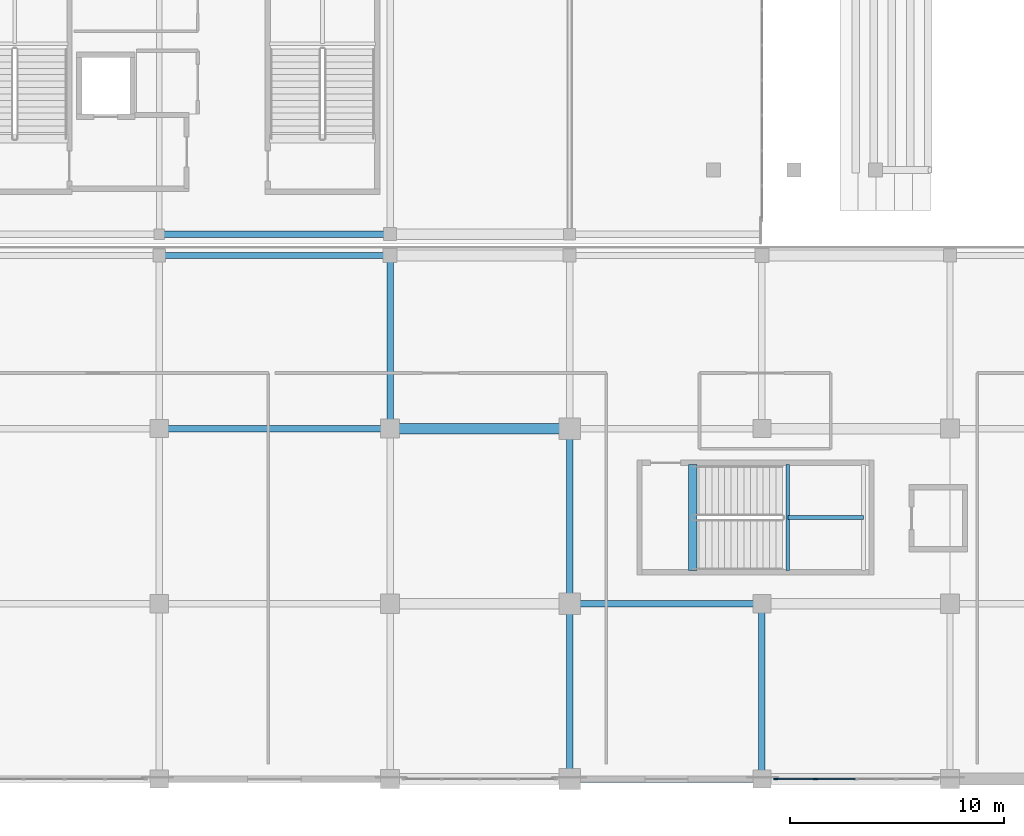
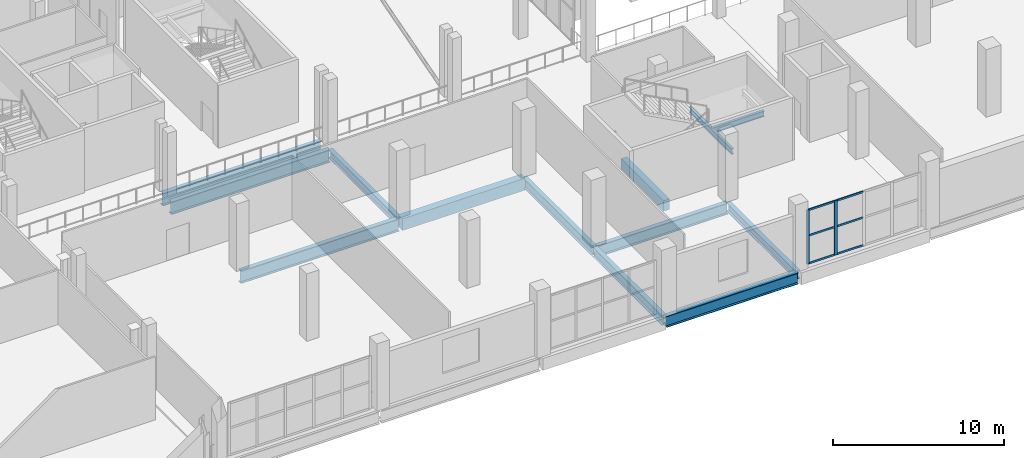
# One storey, part 16 of 142: 13 beams, 8 members, 1 element without a shape of its own.
"""IFC4 building model written with IfcOpenShell, lengths in metres."""

from ifc_helpers import new_model, si_unit, direction, frame, origin, origin_2d, place, context, subcontext, project, spatial, rectangle, i_section, extrude, material, material_profile, profile_set, type_object, element, aggregate, save


model = new_model("IFC4")

# Units and contexts
model_context = context("Model", 3, precision=1e-05, world=origin(), true_north=direction((0.0, 1.0)))
body_context = subcontext(model_context, "Body", "Model", "MODEL_VIEW")
ifc_project = project(units=[si_unit("LENGTHUNIT", "METRE"), si_unit("AREAUNIT", "SQUARE_METRE"), si_unit("VOLUMEUNIT", "CUBIC_METRE"), si_unit("PLANEANGLEUNIT", "RADIAN"), si_unit("MASSUNIT", "GRAM", prefix="KILO")], contexts=[model_context])

# Site, building, storey
site_placement = place(None, origin())
site = spatial("IfcSite", under=ifc_project, at=site_placement, CompositionType="ELEMENT")
building_placement = place(site_placement, origin())
building = spatial("IfcBuilding", under=site, at=building_placement, Name="Koshinbarg Plaza Stadium", CompositionType="ELEMENT")
storey_placement = place(building_placement, frame((0.0, 0.0, 10.199951171875)))
storey = spatial("IfcBuildingStorey", under=building, at=storey_placement, Name="L02", CompositionType="ELEMENT", Elevation=10.199951171875)

# Beams
ifc_material_1 = material(Name="Concrete C40/50", Category="concrete")
ifc_material_profile_1 = material_profile(ifc_material_1, rectangle(XDim=0.39990234375, YDim=0.75, at=origin_2d()), Name="RC 400x750")
ifc_profile_set_1 = profile_set([ifc_material_profile_1], Name="Concrete C40/50")
beam_type_1 = type_object("IfcBeamType", Name="BM-RCG-03", PredefinedType="USERDEFINED", material=ifc_profile_set_1)
beam_1_placement = place(storey_placement, frame((60.360107421875, 9.75, -0.375), z_axis=(0.0, 1.0, 0.0), x_axis=(-1.0, 0.0, 0.0)))
element("IfcBeam", 1, at=beam_1_placement, inside=storey, type_object=beam_type_1, Name="L02 stair landing header beam C13", ObjectType="GIRDER", PredefinedType="USERDEFINED", context=body_context, shape_type="SweptSolid", body=[
    extrude(rectangle(XDim=0.39990234375, YDim=0.75, at=origin_2d()), origin(), (0.0, 0.0, 1.0), 4.969970703125),
])
ifc_material_profile_2 = material_profile(ifc_material_1, rectangle(XDim=0.5, YDim=0.85009765625, at=origin_2d()), Name="RC 500x850")
ifc_profile_set_2 = profile_set([ifc_material_profile_2], Name="Concrete C40/50")
beam_type_2 = type_object("IfcBeamType", Name="BM-RCG-05", PredefinedType="USERDEFINED", material=ifc_profile_set_2)
beam_2_placement = place(storey_placement, frame((46.260009765625, 16.39990234375, -0.724853515625), z_axis=(1.0, 0.0, 0.0), x_axis=(0.0, 1.0, 0.0)))
element("IfcBeam", 2, at=beam_2_placement, inside=storey, type_object=beam_type_2, Name="L02 X girder C/7-8", ObjectType="GIRDER", PredefinedType="USERDEFINED", context=body_context, shape_type="SweptSolid", body=[
    extrude(rectangle(XDim=0.5, YDim=0.85009765625, at=origin_2d()), origin(), (0.0, 0.0, 1.0), 8.280029296875),
])
ifc_material_2 = material(Name="Steel S355", Category="steel")
ifc_material_profile_3 = material_profile(ifc_material_2, i_section(OverallWidth=0.179931640625, OverallDepth=0.39990234375, WebThickness=0.008544921875, FlangeThickness=0.013427734375, at=origin_2d()), Name="IPE 400")
ifc_profile_set_3 = profile_set([ifc_material_profile_3], Name="Steel S355")
beam_type_3 = type_object("IfcBeamType", Name="BM-SBM-01", PredefinedType="BEAM", material=ifc_profile_set_3)
beam_3_placement = place(storey_placement, frame((64.81005859375, 9.75, 1.880126953125), z_axis=(0.0, 1.0, 0.0), x_axis=(-1.0, 0.0, 0.0)))
element("IfcBeam", 3, at=beam_3_placement, inside=storey, type_object=beam_type_3, Name="L02 Protected Exit Stair C13 landing trimmer beam 1", PredefinedType="BEAM", context=body_context, shape_type="SweptSolid", body=[
    extrude(i_section(OverallWidth=0.179931640625, OverallDepth=0.39990234375, WebThickness=0.008544921875, FlangeThickness=0.013427734375, at=origin_2d()), origin(), (0.0, 0.0, 1.0), 4.969970703125),
])
beam_4_placement = place(storey_placement, frame((64.81005859375, 12.235107421875, 1.880126953125), z_axis=(1.0, 0.0, 0.0), x_axis=(0.0, 1.0, 0.0)))
element("IfcBeam", 4, at=beam_4_placement, inside=storey, type_object=beam_type_3, Name="L02 Protected Exit Stair C13 landing trimmer beam 3", PredefinedType="BEAM", context=body_context, shape_type="SweptSolid", body=[
    extrude(i_section(OverallWidth=0.179931640625, OverallDepth=0.39990234375, WebThickness=0.008544921875, FlangeThickness=0.013427734375, at=origin_2d()), origin(), (0.0, 0.0, 1.0), 3.5400390625),
])
ifc_material_profile_4 = material_profile(ifc_material_2, i_section(OverallWidth=0.300048828125, OverallDepth=0.60009765625, WebThickness=0.015380859375, FlangeThickness=0.030029296875, at=origin_2d()), Name="HEB 600")
ifc_profile_set_4 = profile_set([ifc_material_profile_4], Name="Steel S355")
beam_type_4 = type_object("IfcBeamType", Name="BM-SGIR-02", PredefinedType="USERDEFINED", material=ifc_profile_set_4)
beam_5_placement = place(storey_placement, frame((46.199951171875, 16.4599609375, -0.599853515625), z_axis=(0.0, 1.0, 0.0), x_axis=(-1.0, 0.0, 0.0)))
element("IfcBeam", 5, at=beam_5_placement, inside=storey, type_object=beam_type_4, Name="L02 Y girder 7/C-D", ObjectType="GIRDER", PredefinedType="USERDEFINED", context=body_context, shape_type="SweptSolid", body=[
    extrude(i_section(OverallWidth=0.300048828125, OverallDepth=0.60009765625, WebThickness=0.015380859375, FlangeThickness=0.030029296875, at=origin_2d()), origin(), (0.0, 0.0, 1.0), 7.97998046875),
])
beam_6_placement = place(storey_placement, frame((63.60009765625, 0.06005859375, -0.599853515625), z_axis=(0.0, 1.0, 0.0), x_axis=(-1.0, 0.0, 0.0)))
element("IfcBeam", 6, at=beam_6_placement, inside=storey, type_object=beam_type_4, Name="L02 Y girder 9/A-B", ObjectType="GIRDER", PredefinedType="USERDEFINED", context=body_context, shape_type="SweptSolid", body=[
    extrude(i_section(OverallWidth=0.300048828125, OverallDepth=0.60009765625, WebThickness=0.015380859375, FlangeThickness=0.030029296875, at=origin_2d()), origin(), (0.0, 0.0, 1.0), 8.079833984375),
])
ifc_material_profile_5 = material_profile(ifc_material_2, i_section(OverallWidth=0.300048828125, OverallDepth=0.699951171875, WebThickness=0.01708984375, FlangeThickness=0.031982421875, at=origin_2d()), Name="HEB 700")
ifc_profile_set_5 = profile_set([ifc_material_profile_5], Name="Steel S355")
beam_type_5 = type_object("IfcBeamType", Name="BM-SGIR-03", PredefinedType="USERDEFINED", material=ifc_profile_set_5)
beam_7_placement = place(storey_placement, frame((54.60009765625, 0.06005859375, -0.64990234375), z_axis=(0.0, 1.0, 0.0), x_axis=(-1.0, 0.0, 0.0)))
element("IfcBeam", 7, at=beam_7_placement, inside=storey, type_object=beam_type_5, Name="L02 Y girder 8/A-B", ObjectType="GIRDER", PredefinedType="USERDEFINED", context=body_context, shape_type="SweptSolid", body=[
    extrude(i_section(OverallWidth=0.300048828125, OverallDepth=0.699951171875, WebThickness=0.01708984375, FlangeThickness=0.031982421875, at=origin_2d()), origin(), (0.0, 0.0, 1.0), 8.079833984375),
])
beam_8_placement = place(storey_placement, frame((54.60009765625, 8.260009765625, -0.64990234375), z_axis=(0.0, 1.0, 0.0), x_axis=(-1.0, 0.0, 0.0)))
element("IfcBeam", 8, at=beam_8_placement, inside=storey, type_object=beam_type_5, Name="L02 Y girder 8/B-C", ObjectType="GIRDER", PredefinedType="USERDEFINED", context=body_context, shape_type="SweptSolid", body=[
    extrude(i_section(OverallWidth=0.300048828125, OverallDepth=0.699951171875, WebThickness=0.01708984375, FlangeThickness=0.031982421875, at=origin_2d()), origin(), (0.0, 0.0, 1.0), 8.080078125),
])
ifc_material_profile_6 = material_profile(ifc_material_2, i_section(OverallWidth=0.300048828125, OverallDepth=0.800048828125, WebThickness=0.017578125, FlangeThickness=0.032958984375, at=origin_2d()), Name="HEB 800")
ifc_profile_set_6 = profile_set([ifc_material_profile_6], Name="Steel S355")
beam_type_6 = type_object("IfcBeamType", Name="BM-SGIR-04", PredefinedType="USERDEFINED", material=ifc_profile_set_6)
for number, where, z_axis, x_axis, name in (
    (9, (54.659912109375, 0.0, -0.699951171875), (1.0, 0.0, 0.0), (0.0, 1.0, 0.0), "L02 X girder A/8-9"),
    (10, (54.659912109375, 8.199951171875, -0.699951171875), (1.0, 0.0, 0.0), (0.0, 1.0, 0.0), "L02 X girder B/8-9"),
):
    element("IfcBeam", number, at=place(storey_placement, frame(where, z_axis=z_axis, x_axis=x_axis)), inside=storey, type_object=beam_type_6, Name=name, ObjectType="GIRDER", PredefinedType="USERDEFINED", context=body_context, shape_type="SweptSolid", body=[
        extrude(i_section(OverallWidth=0.300048828125, OverallDepth=0.800048828125, WebThickness=0.017578125, FlangeThickness=0.032958984375, at=origin_2d()), origin(), (0.0, 0.0, 1.0), 8.880126953125),
    ])
ifc_material_profile_7 = material_profile(ifc_material_2, i_section(OverallWidth=0.300048828125, OverallDepth=0.89990234375, WebThickness=0.0185546875, FlangeThickness=0.034912109375, at=origin_2d()), Name="HEB 900")
ifc_profile_set_7 = profile_set([ifc_material_profile_7], Name="Steel S355")
beam_type_7 = type_object("IfcBeamType", Name="BM-SGIR-05", PredefinedType="USERDEFINED", material=ifc_profile_set_7)
for number, where, z_axis, x_axis, name in (
    (11, (35.4599609375, 16.39990234375, -0.75), (1.0, 0.0, 0.0), (0.0, 1.0, 0.0), "L02 X girder C/6-7"),
    (12, (35.4599609375, 24.5, -0.75), (1.0, 0.0, 0.0), (0.0, 1.0, 0.0), "L02 X girder D/6-7"),
    (13, (35.4599609375, 25.5, -0.75), (1.0, 0.0, 0.0), (0.0, 1.0, 0.0), "L02 X girder E/6-7"),
):
    element("IfcBeam", number, at=place(storey_placement, frame(where, z_axis=z_axis, x_axis=x_axis)), inside=storey, type_object=beam_type_7, Name=name, ObjectType="GIRDER", PredefinedType="USERDEFINED", context=body_context, shape_type="SweptSolid", body=[
        extrude(i_section(OverallWidth=0.300048828125, OverallDepth=0.89990234375, WebThickness=0.0185546875, FlangeThickness=0.034912109375, at=origin_2d()), origin(), (0.0, 0.0, 1.0), 10.679931640625),
    ])

# Curtain wall, members
ifc_material_3 = material(Name="Thermally broken anodised aluminium and low-E double glazing", Category="aluminium")
curtain_wall_type = type_object("IfcCurtainWallType", Name="CW-SYS-04", PredefinedType="NOTDEFINED", material=ifc_material_3)
curtain_wall_placement = place(storey_placement, origin())
curtain_wall = element("IfcCurtainWall", 14, at=curtain_wall_placement, inside=storey, type_object=curtain_wall_type, Name="L02 unitised curtain wall CW-L02-067", PredefinedType="NOTDEFINED")
ifc_material_4 = material(Name="Anodised aluminium mullion", Category="aluminium")
ifc_material_profile_8 = material_profile(ifc_material_4, rectangle(XDim=0.070068359375, YDim=0.199951171875, at=origin_2d()), Name="ALU 70x200")
ifc_profile_set_8 = profile_set([ifc_material_profile_8], Name="Anodised aluminium mullion")
member_type_1 = type_object("IfcMemberType", Name="CW-MUL-04", PredefinedType="MULLION", material=ifc_profile_set_8)
member_1_placement = place(storey_placement, frame((66.110107421875, 0.0, 0.0), z_axis=(0.0, 0.0, 1.0), x_axis=(0.0, -1.0, 0.0)))
member_1 = element("IfcMember", 15, at=member_1_placement, type_object=member_type_1, Name="CW04 mullion 4", PredefinedType="MULLION", context=body_context, shape_type="SweptSolid", body=[
    extrude(rectangle(XDim=0.070068359375, YDim=0.199951171875, at=origin_2d()), origin(), (0.0, 0.0, 1.0), 3.860107421875),
])
member_2_placement = place(storey_placement, frame((64.25, 0.0, 0.0), z_axis=(0.0, 0.0, 1.0), x_axis=(0.0, -1.0, 0.0)))
member_2 = element("IfcMember", 16, at=member_2_placement, type_object=member_type_1, Name="CW04 mullion 5", PredefinedType="MULLION", context=body_context, shape_type="SweptSolid", body=[
    extrude(rectangle(XDim=0.070068359375, YDim=0.199951171875, at=origin_2d()), origin(), (0.0, 0.0, 1.0), 3.860107421875),
])
ifc_material_5 = material(Name="Anodised aluminium transom", Category="aluminium")
ifc_material_profile_9 = material_profile(ifc_material_5, rectangle(XDim=0.06005859375, YDim=0.1298828125, at=origin_2d()), Name="ALU 60x130")
ifc_profile_set_9 = profile_set([ifc_material_profile_9], Name="Anodised aluminium transom")
member_type_2 = type_object("IfcMemberType", Name="CW-TRN-02", PredefinedType="USERDEFINED", material=ifc_profile_set_9)
member_3_placement = place(storey_placement, frame((67.969970703125, 0.0, 0.030029296875), z_axis=(-1.0, 0.0, 0.0), x_axis=(0.0, -1.0, 0.0)))
member_3 = element("IfcMember", 17, at=member_3_placement, type_object=member_type_2, Name="CW04 transom 3.1", ObjectType="TRANSOM", PredefinedType="USERDEFINED", context=body_context, shape_type="SweptSolid", body=[
    extrude(rectangle(XDim=0.06005859375, YDim=0.1298828125, at=origin_2d()), origin(), (0.0, 0.0, 1.0), 1.830078125),
])
member_4_placement = place(storey_placement, frame((67.969970703125, 0.0, 2.00732421875), z_axis=(-1.0, 0.0, 0.0), x_axis=(0.0, -1.0, 0.0)))
member_4 = element("IfcMember", 18, at=member_4_placement, type_object=member_type_2, Name="CW04 transom 3.2", ObjectType="TRANSOM", PredefinedType="USERDEFINED", context=body_context, shape_type="SweptSolid", body=[
    extrude(rectangle(XDim=0.06005859375, YDim=0.1298828125, at=origin_2d()), origin(), (0.0, 0.0, 1.0), 1.830078125),
])
member_5_placement = place(storey_placement, frame((67.969970703125, 0.0, 3.830078125), z_axis=(-1.0, 0.0, 0.0), x_axis=(0.0, -1.0, 0.0)))
member_5 = element("IfcMember", 19, at=member_5_placement, type_object=member_type_2, Name="CW04 transom 3.3", ObjectType="TRANSOM", PredefinedType="USERDEFINED", context=body_context, shape_type="SweptSolid", body=[
    extrude(rectangle(XDim=0.06005859375, YDim=0.1298828125, at=origin_2d()), origin(), (0.0, 0.0, 1.0), 1.830078125),
])
member_6_placement = place(storey_placement, frame((66.080078125, 0.0, 0.030029296875), z_axis=(-1.0, 0.0, 0.0), x_axis=(0.0, -1.0, 0.0)))
member_6 = element("IfcMember", 20, at=member_6_placement, type_object=member_type_2, Name="CW04 transom 4.1", ObjectType="TRANSOM", PredefinedType="USERDEFINED", context=body_context, shape_type="SweptSolid", body=[
    extrude(rectangle(XDim=0.06005859375, YDim=0.1298828125, at=origin_2d()), origin(), (0.0, 0.0, 1.0), 1.800048828125),
])
member_7_placement = place(storey_placement, frame((66.080078125, 0.0, 2.00732421875), z_axis=(-1.0, 0.0, 0.0), x_axis=(0.0, -1.0, 0.0)))
member_7 = element("IfcMember", 21, at=member_7_placement, type_object=member_type_2, Name="CW04 transom 4.2", ObjectType="TRANSOM", PredefinedType="USERDEFINED", context=body_context, shape_type="SweptSolid", body=[
    extrude(rectangle(XDim=0.06005859375, YDim=0.1298828125, at=origin_2d()), origin(), (0.0, 0.0, 1.0), 1.800048828125),
])
member_8_placement = place(storey_placement, frame((66.080078125, 0.0, 3.830078125), z_axis=(-1.0, 0.0, 0.0), x_axis=(0.0, -1.0, 0.0)))
member_8 = element("IfcMember", 22, at=member_8_placement, type_object=member_type_2, Name="CW04 transom 4.3", ObjectType="TRANSOM", PredefinedType="USERDEFINED", context=body_context, shape_type="SweptSolid", body=[
    extrude(rectangle(XDim=0.06005859375, YDim=0.1298828125, at=origin_2d()), origin(), (0.0, 0.0, 1.0), 1.800048828125),
])
aggregate(curtain_wall, [member_1, member_2, member_3, member_4, member_5, member_6, member_7, member_8])

save(model, "model.ifc")
